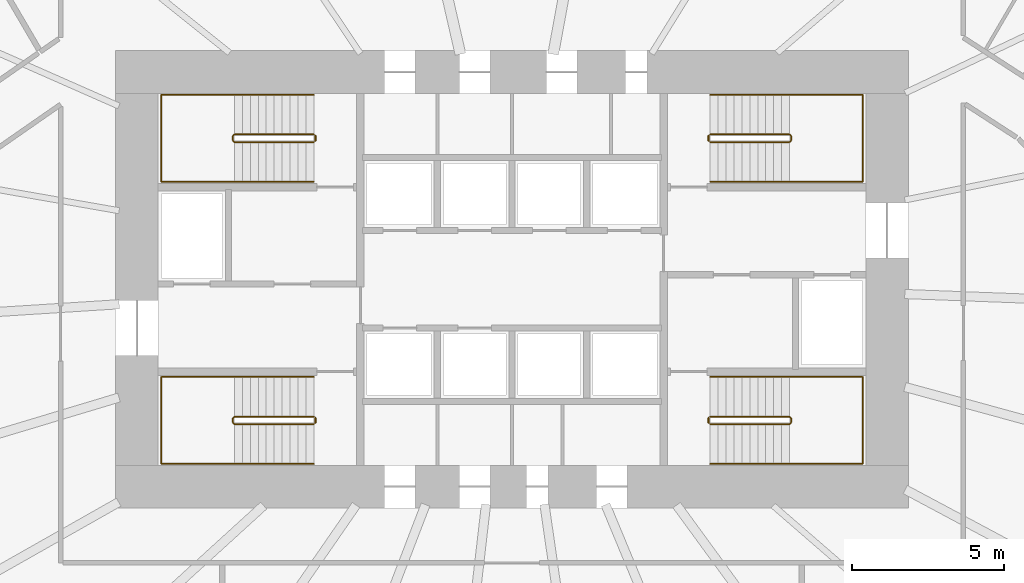
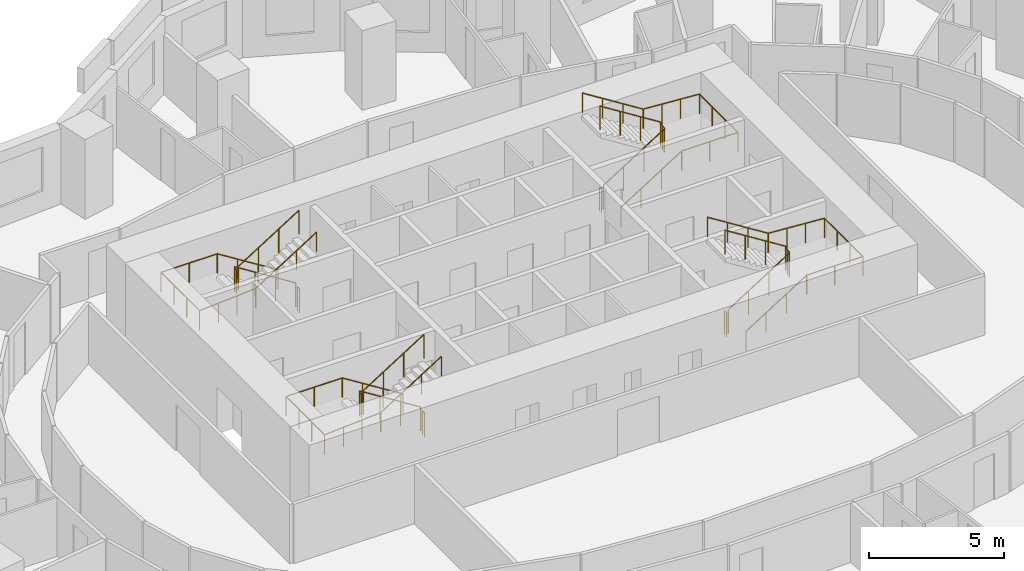
# One storey, part 11 of 11: 12 railings.
"""IFC4 building model written with IfcOpenShell, lengths in metres."""

from ifc_helpers import new_model, si_unit, direction, frame, origin, origin_2d, place, context, subcontext, project, spatial, circle, extrude, material, type_object, element, save


model = new_model("IFC4")

# Units and contexts
model_context = context("Model", 3, precision=1e-05, world=origin(), true_north=direction((0.0, 1.0)))
body_context = subcontext(model_context, "Body", "Model", "MODEL_VIEW")
ifc_project = project(units=[si_unit("LENGTHUNIT", "METRE"), si_unit("AREAUNIT", "SQUARE_METRE"), si_unit("VOLUMEUNIT", "CUBIC_METRE"), si_unit("PLANEANGLEUNIT", "RADIAN"), si_unit("MASSUNIT", "GRAM", prefix="KILO")], contexts=[model_context])

# Site, building, storey
site_placement = place(None, origin())
site = spatial("IfcSite", under=ifc_project, at=site_placement, CompositionType="ELEMENT")
building_placement = place(site_placement, origin())
building = spatial("IfcBuilding", under=site, at=building_placement, Name="Rubra Terraces Tower", CompositionType="ELEMENT")
storey_placement = place(building_placement, frame((0.0, 0.0, 41.10009765625)))
storey = spatial("IfcBuildingStorey", under=building, at=storey_placement, Name="L07", CompositionType="ELEMENT", Elevation=41.10009765625)

# Railings
ifc_material = material(Name="Stainless steel", Category="steel")
railing_type_1 = type_object("IfcRailingType", Name="Core stair guard 1100", PredefinedType="GUARDRAIL", material=ifc_material)
railing_1_placement = place(storey_placement, frame((-6.5, 0.0, 0.16357421875)))
element("IfcRailing", 1, at=railing_1_placement, inside=storey, type_object=railing_type_1, Name="L07 stair S1 guard 1", PredefinedType="GUARDRAIL", context=body_context, shape_type="SweptSolid", body=[
    extrude(circle(Radius=0.02392578125, at=origin_2d()), frame((0.0, 0.0, 1.076171875), z_axis=(-0.846360218416, 0.0, 0.532610909279), x_axis=(0.0, -1.0, 0.0)), (0.0, 0.0, 1.0), 3.072021484375),
    extrude(circle(Radius=0.02392578125, at=origin_2d()), frame((-2.60009765625, 0.0, 2.71240234375), z_axis=(-0.705375805398, -0.708833529934, 0.0), x_axis=(0.708833529934, -0.705375805398, 0.0)), (0.0, 0.0, 1.0), 0.070556640625),
    extrude(circle(Radius=0.02392578125, at=origin_2d()), frame((-2.64990234375, -0.050048828125, 2.71240234375), z_axis=(0.0, -1.0, 0.0), x_axis=(1.0, 0.0, 0.0)), (0.0, 0.0, 1.0), 0.14990234375),
    extrude(circle(Radius=0.02392578125, at=origin_2d()), frame((-2.64990234375, -0.199951171875, 2.71240234375), z_axis=(0.279194930351, -0.280563532951, 0.91833234444), x_axis=(0.708833529934, 0.705375805398, 0.0)), (0.0, 0.0, 1.0), 0.178466796875),
    extrude(circle(Radius=0.02392578125, at=origin_2d()), frame((-2.60009765625, -0.25, 2.8759765625), z_axis=(0.846360218416, 0.0, 0.532610909279), x_axis=(0.0, 1.0, 0.0)), (0.0, 0.0, 1.0), 3.072021484375),
    extrude(circle(Radius=0.02099609375, at=origin_2d()), origin(), (0.0, 0.0, 1.0), 1.052001953125),
    extrude(circle(Radius=0.02099609375, at=origin_2d()), frame((-0.86669921875, 0.0, 0.54541015625)), (0.0, 0.0, 1.0), 1.052001953125),
    extrude(circle(Radius=0.02099609375, at=origin_2d()), frame((-1.7333984375, 0.0, 1.0908203125)), (0.0, 0.0, 1.0), 1.052001953125),
    extrude(circle(Radius=0.02099609375, at=origin_2d()), frame((-2.60009765625, 0.0, 1.63623046875)), (0.0, 0.0, 1.0), 1.052001953125),
    extrude(circle(Radius=0.02099609375, at=origin_2d()), frame((-2.64990234375, -0.050048828125, 1.63623046875)), (0.0, 0.0, 1.0), 1.052001953125),
    extrude(circle(Radius=0.02099609375, at=origin_2d()), frame((-2.64990234375, -0.199951171875, 1.63623046875)), (0.0, 0.0, 1.0), 1.052001953125),
    extrude(circle(Radius=0.02099609375, at=origin_2d()), frame((-2.60009765625, -0.25, 1.800048828125)), (0.0, 0.0, 1.0), 1.052001953125),
    extrude(circle(Radius=0.02099609375, at=origin_2d()), frame((-1.7333984375, -0.25, 2.345458984375)), (0.0, 0.0, 1.0), 1.052001953125),
    extrude(circle(Radius=0.02099609375, at=origin_2d()), frame((-0.86669921875, -0.25, 2.890869140625)), (0.0, 0.0, 1.0), 1.052001953125),
    extrude(circle(Radius=0.02099609375, at=origin_2d()), frame((0.0, -0.25, 3.436279296875)), (0.0, 0.0, 1.0), 1.052001953125),
])
railing_2_placement = place(storey_placement, frame((-6.449951171875, -0.050048828125, 0.0)))
element("IfcRailing", 2, at=railing_2_placement, inside=storey, type_object=railing_type_1, Name="L07 stair S1 guard 2", PredefinedType="GUARDRAIL", context=body_context, shape_type="SweptSolid", body=[
    extrude(circle(Radius=0.02392578125, at=origin_2d()), frame((0.0, 0.0, 1.076171875), z_axis=(0.0, -1.0, 0.0), x_axis=(1.0, 0.0, 0.0)), (0.0, 0.0, 1.0), 0.14990234375),
    extrude(circle(Radius=0.02099609375, at=origin_2d()), origin(), (0.0, 0.0, 1.0), 1.052001953125),
    extrude(circle(Radius=0.02099609375, at=origin_2d()), frame((0.0, -0.14990234375, 0.0)), (0.0, 0.0, 1.0), 1.052001953125),
])
railing_3_placement = place(storey_placement, frame((-6.5, 9.25, 0.16357421875)))
element("IfcRailing", 3, at=railing_3_placement, inside=storey, type_object=railing_type_1, Name="L07 stair S2 guard 1", PredefinedType="GUARDRAIL", context=body_context, shape_type="SweptSolid", body=[
    extrude(circle(Radius=0.02392578125, at=origin_2d()), frame((0.0, 0.0, 1.076171875), z_axis=(-0.846360218416, 0.0, 0.532610909279), x_axis=(0.0, -1.0, 0.0)), (0.0, 0.0, 1.0), 3.072021484375),
    extrude(circle(Radius=0.02392578125, at=origin_2d()), frame((-2.60009765625, 0.0, 2.71240234375), z_axis=(-0.705375805398, -0.708833529934, 0.0), x_axis=(0.708833529934, -0.705375805398, 0.0)), (0.0, 0.0, 1.0), 0.070556640625),
    extrude(circle(Radius=0.02392578125, at=origin_2d()), frame((-2.64990234375, -0.050048828125, 2.71240234375), z_axis=(0.0, -1.0, 0.0), x_axis=(1.0, 0.0, 0.0)), (0.0, 0.0, 1.0), 0.14990234375),
    extrude(circle(Radius=0.02392578125, at=origin_2d()), frame((-2.64990234375, -0.199951171875, 2.71240234375), z_axis=(0.279194930351, -0.280563532951, 0.91833234444), x_axis=(0.708833529934, 0.705375805398, 0.0)), (0.0, 0.0, 1.0), 0.178466796875),
    extrude(circle(Radius=0.02392578125, at=origin_2d()), frame((-2.60009765625, -0.25, 2.8759765625), z_axis=(0.846360218416, 0.0, 0.532610909279), x_axis=(0.0, 1.0, 0.0)), (0.0, 0.0, 1.0), 3.072021484375),
    extrude(circle(Radius=0.02099609375, at=origin_2d()), origin(), (0.0, 0.0, 1.0), 1.052001953125),
    extrude(circle(Radius=0.02099609375, at=origin_2d()), frame((-0.86669921875, 0.0, 0.54541015625)), (0.0, 0.0, 1.0), 1.052001953125),
    extrude(circle(Radius=0.02099609375, at=origin_2d()), frame((-1.7333984375, 0.0, 1.0908203125)), (0.0, 0.0, 1.0), 1.052001953125),
    extrude(circle(Radius=0.02099609375, at=origin_2d()), frame((-2.60009765625, 0.0, 1.63623046875)), (0.0, 0.0, 1.0), 1.052001953125),
    extrude(circle(Radius=0.02099609375, at=origin_2d()), frame((-2.64990234375, -0.050048828125, 1.63623046875)), (0.0, 0.0, 1.0), 1.052001953125),
    extrude(circle(Radius=0.02099609375, at=origin_2d()), frame((-2.64990234375, -0.199951171875, 1.63623046875)), (0.0, 0.0, 1.0), 1.052001953125),
    extrude(circle(Radius=0.02099609375, at=origin_2d()), frame((-2.60009765625, -0.25, 1.800048828125)), (0.0, 0.0, 1.0), 1.052001953125),
    extrude(circle(Radius=0.02099609375, at=origin_2d()), frame((-1.7333984375, -0.25, 2.345458984375)), (0.0, 0.0, 1.0), 1.052001953125),
    extrude(circle(Radius=0.02099609375, at=origin_2d()), frame((-0.86669921875, -0.25, 2.890869140625)), (0.0, 0.0, 1.0), 1.052001953125),
    extrude(circle(Radius=0.02099609375, at=origin_2d()), frame((0.0, -0.25, 3.436279296875)), (0.0, 0.0, 1.0), 1.052001953125),
])
railing_4_placement = place(storey_placement, frame((-6.449951171875, 9.199951171875, 0.0)))
element("IfcRailing", 4, at=railing_4_placement, inside=storey, type_object=railing_type_1, Name="L07 stair S2 guard 2", PredefinedType="GUARDRAIL", context=body_context, shape_type="SweptSolid", body=[
    extrude(circle(Radius=0.02392578125, at=origin_2d()), frame((0.0, 0.0, 1.076171875), z_axis=(0.0, -1.0, 0.0), x_axis=(1.0, 0.0, 0.0)), (0.0, 0.0, 1.0), 0.14990234375),
    extrude(circle(Radius=0.02099609375, at=origin_2d()), origin(), (0.0, 0.0, 1.0), 1.052001953125),
    extrude(circle(Radius=0.02099609375, at=origin_2d()), frame((0.0, -0.14990234375, 0.0)), (0.0, 0.0, 1.0), 1.052001953125),
])
railing_5_placement = place(storey_placement, frame((6.5, 9.0, 0.16357421875)))
element("IfcRailing", 5, at=railing_5_placement, inside=storey, type_object=railing_type_1, Name="L07 stair S3 guard 1", PredefinedType="GUARDRAIL", context=body_context, shape_type="SweptSolid", body=[
    extrude(circle(Radius=0.02392578125, at=origin_2d()), frame((0.0, 0.0, 1.076171875), z_axis=(0.846360218416, 0.0, 0.532610909279), x_axis=(0.0, 1.0, 0.0)), (0.0, 0.0, 1.0), 3.072021484375),
    extrude(circle(Radius=0.02392578125, at=origin_2d()), frame((2.60009765625, 0.0, 2.71240234375), z_axis=(0.705375805398, 0.708833529934, 0.0), x_axis=(-0.708833529934, 0.705375805398, 0.0)), (0.0, 0.0, 1.0), 0.070556640625),
    extrude(circle(Radius=0.02392578125, at=origin_2d()), frame((2.64990234375, 0.050048828125, 2.71240234375), z_axis=(0.0, 1.0, 0.0), x_axis=(-1.0, 0.0, 0.0)), (0.0, 0.0, 1.0), 0.14990234375),
    extrude(circle(Radius=0.02392578125, at=origin_2d()), frame((2.64990234375, 0.199951171875, 2.71240234375), z_axis=(-0.279194930351, 0.280563532951, 0.91833234444), x_axis=(-0.708833529934, -0.705375805398, 0.0)), (0.0, 0.0, 1.0), 0.178466796875),
    extrude(circle(Radius=0.02392578125, at=origin_2d()), frame((2.60009765625, 0.25, 2.8759765625), z_axis=(-0.846360218416, 0.0, 0.532610909279), x_axis=(0.0, -1.0, 0.0)), (0.0, 0.0, 1.0), 3.072021484375),
    extrude(circle(Radius=0.02099609375, at=origin_2d()), origin(), (0.0, 0.0, 1.0), 1.052001953125),
    extrude(circle(Radius=0.02099609375, at=origin_2d()), frame((0.86669921875, 0.0, 0.54541015625)), (0.0, 0.0, 1.0), 1.052001953125),
    extrude(circle(Radius=0.02099609375, at=origin_2d()), frame((1.7333984375, 0.0, 1.0908203125)), (0.0, 0.0, 1.0), 1.052001953125),
    extrude(circle(Radius=0.02099609375, at=origin_2d()), frame((2.60009765625, 0.0, 1.63623046875)), (0.0, 0.0, 1.0), 1.052001953125),
    extrude(circle(Radius=0.02099609375, at=origin_2d()), frame((2.64990234375, 0.050048828125, 1.63623046875)), (0.0, 0.0, 1.0), 1.052001953125),
    extrude(circle(Radius=0.02099609375, at=origin_2d()), frame((2.64990234375, 0.199951171875, 1.63623046875)), (0.0, 0.0, 1.0), 1.052001953125),
    extrude(circle(Radius=0.02099609375, at=origin_2d()), frame((2.60009765625, 0.25, 1.800048828125)), (0.0, 0.0, 1.0), 1.052001953125),
    extrude(circle(Radius=0.02099609375, at=origin_2d()), frame((1.7333984375, 0.25, 2.345458984375)), (0.0, 0.0, 1.0), 1.052001953125),
    extrude(circle(Radius=0.02099609375, at=origin_2d()), frame((0.86669921875, 0.25, 2.890869140625)), (0.0, 0.0, 1.0), 1.052001953125),
    extrude(circle(Radius=0.02099609375, at=origin_2d()), frame((0.0, 0.25, 3.436279296875)), (0.0, 0.0, 1.0), 1.052001953125),
])
railing_6_placement = place(storey_placement, frame((6.449951171875, 9.050048828125, 0.0)))
element("IfcRailing", 6, at=railing_6_placement, inside=storey, type_object=railing_type_1, Name="L07 stair S3 guard 2", PredefinedType="GUARDRAIL", context=body_context, shape_type="SweptSolid", body=[
    extrude(circle(Radius=0.02392578125, at=origin_2d()), frame((0.0, 0.0, 1.076171875), z_axis=(0.0, 1.0, 0.0), x_axis=(-1.0, 0.0, 0.0)), (0.0, 0.0, 1.0), 0.14990234375),
    extrude(circle(Radius=0.02099609375, at=origin_2d()), origin(), (0.0, 0.0, 1.0), 1.052001953125),
    extrude(circle(Radius=0.02099609375, at=origin_2d()), frame((0.0, 0.14990234375, 0.0)), (0.0, 0.0, 1.0), 1.052001953125),
])
railing_7_placement = place(storey_placement, frame((6.5, -0.25, 0.16357421875)))
element("IfcRailing", 7, at=railing_7_placement, inside=storey, type_object=railing_type_1, Name="L07 stair S4 guard 1", PredefinedType="GUARDRAIL", context=body_context, shape_type="SweptSolid", body=[
    extrude(circle(Radius=0.02392578125, at=origin_2d()), frame((0.0, 0.0, 1.076171875), z_axis=(0.846360218416, 0.0, 0.532610909279), x_axis=(0.0, 1.0, 0.0)), (0.0, 0.0, 1.0), 3.072021484375),
    extrude(circle(Radius=0.02392578125, at=origin_2d()), frame((2.60009765625, 0.0, 2.71240234375), z_axis=(0.705375805398, 0.708833529934, 0.0), x_axis=(-0.708833529934, 0.705375805398, 0.0)), (0.0, 0.0, 1.0), 0.070556640625),
    extrude(circle(Radius=0.02392578125, at=origin_2d()), frame((2.64990234375, 0.050048828125, 2.71240234375), z_axis=(0.0, 1.0, 0.0), x_axis=(-1.0, 0.0, 0.0)), (0.0, 0.0, 1.0), 0.14990234375),
    extrude(circle(Radius=0.02392578125, at=origin_2d()), frame((2.64990234375, 0.199951171875, 2.71240234375), z_axis=(-0.279194930351, 0.280563532951, 0.91833234444), x_axis=(-0.708833529934, -0.705375805398, 0.0)), (0.0, 0.0, 1.0), 0.178466796875),
    extrude(circle(Radius=0.02392578125, at=origin_2d()), frame((2.60009765625, 0.25, 2.8759765625), z_axis=(-0.846360218416, 0.0, 0.532610909279), x_axis=(0.0, -1.0, 0.0)), (0.0, 0.0, 1.0), 3.072021484375),
    extrude(circle(Radius=0.02099609375, at=origin_2d()), origin(), (0.0, 0.0, 1.0), 1.052001953125),
    extrude(circle(Radius=0.02099609375, at=origin_2d()), frame((0.86669921875, 0.0, 0.54541015625)), (0.0, 0.0, 1.0), 1.052001953125),
    extrude(circle(Radius=0.02099609375, at=origin_2d()), frame((1.7333984375, 0.0, 1.0908203125)), (0.0, 0.0, 1.0), 1.052001953125),
    extrude(circle(Radius=0.02099609375, at=origin_2d()), frame((2.60009765625, 0.0, 1.63623046875)), (0.0, 0.0, 1.0), 1.052001953125),
    extrude(circle(Radius=0.02099609375, at=origin_2d()), frame((2.64990234375, 0.050048828125, 1.63623046875)), (0.0, 0.0, 1.0), 1.052001953125),
    extrude(circle(Radius=0.02099609375, at=origin_2d()), frame((2.64990234375, 0.199951171875, 1.63623046875)), (0.0, 0.0, 1.0), 1.052001953125),
    extrude(circle(Radius=0.02099609375, at=origin_2d()), frame((2.60009765625, 0.25, 1.800048828125)), (0.0, 0.0, 1.0), 1.052001953125),
    extrude(circle(Radius=0.02099609375, at=origin_2d()), frame((1.7333984375, 0.25, 2.345458984375)), (0.0, 0.0, 1.0), 1.052001953125),
    extrude(circle(Radius=0.02099609375, at=origin_2d()), frame((0.86669921875, 0.25, 2.890869140625)), (0.0, 0.0, 1.0), 1.052001953125),
    extrude(circle(Radius=0.02099609375, at=origin_2d()), frame((0.0, 0.25, 3.436279296875)), (0.0, 0.0, 1.0), 1.052001953125),
])
railing_8_placement = place(storey_placement, frame((6.449951171875, -0.199951171875, 0.0)))
element("IfcRailing", 8, at=railing_8_placement, inside=storey, type_object=railing_type_1, Name="L07 stair S4 guard 2", PredefinedType="GUARDRAIL", context=body_context, shape_type="SweptSolid", body=[
    extrude(circle(Radius=0.02392578125, at=origin_2d()), frame((0.0, 0.0, 1.076171875), z_axis=(0.0, 1.0, 0.0), x_axis=(-1.0, 0.0, 0.0)), (0.0, 0.0, 1.0), 0.14990234375),
    extrude(circle(Radius=0.02099609375, at=origin_2d()), origin(), (0.0, 0.0, 1.0), 1.052001953125),
    extrude(circle(Radius=0.02099609375, at=origin_2d()), frame((0.0, 0.14990234375, 0.0)), (0.0, 0.0, 1.0), 1.052001953125),
])
railing_type_2 = type_object("IfcRailingType", Name="Core stair handrail 900", PredefinedType="HANDRAIL", material=ifc_material)
railing_9_placement = place(storey_placement, frame((-6.5, 1.300048828125, 0.16357421875)))
element("IfcRailing", 9, at=railing_9_placement, inside=storey, type_object=railing_type_2, Name="L07 stair S1 handrail 1", PredefinedType="HANDRAIL", context=body_context, shape_type="SweptSolid", body=[
    extrude(circle(Radius=0.02392578125, at=origin_2d()), frame((0.0, 0.0, 0.8759765625), z_axis=(-0.846360218416, 0.0, 0.532610909279), x_axis=(0.0, -1.0, 0.0)), (0.0, 0.0, 1.0), 3.072021484375),
    extrude(circle(Radius=0.02392578125, at=origin_2d()), frame((-2.60009765625, 0.0, 2.51220703125), z_axis=(-1.0, 0.0, 0.0), x_axis=(0.0, -1.0, 0.0)), (0.0, 0.0, 1.0), 2.39990234375),
    extrude(circle(Radius=0.02392578125, at=origin_2d()), frame((-5.0, 0.0, 2.51220703125), z_axis=(0.0, -1.0, 0.0), x_axis=(1.0, 0.0, 0.0)), (0.0, 0.0, 1.0), 2.85009765625),
    extrude(circle(Radius=0.02392578125, at=origin_2d()), frame((-5.0, -2.85009765625, 2.51220703125), z_axis=(0.997678367104, 0.0, 0.06810195161), x_axis=(0.0, 1.0, 0.0)), (0.0, 0.0, 1.0), 2.405517578125),
    extrude(circle(Radius=0.02392578125, at=origin_2d()), frame((-2.60009765625, -2.85009765625, 2.67578125), z_axis=(0.846360218416, 0.0, 0.532610909279), x_axis=(0.0, 1.0, 0.0)), (0.0, 0.0, 1.0), 3.072021484375),
    extrude(circle(Radius=0.02099609375, at=origin_2d()), origin(), (0.0, 0.0, 1.0), 0.851806640625),
    extrude(circle(Radius=0.02099609375, at=origin_2d()), frame((-0.86669921875, 0.0, 0.54541015625)), (0.0, 0.0, 1.0), 0.851806640625),
    extrude(circle(Radius=0.02099609375, at=origin_2d()), frame((-1.7333984375, 0.0, 1.0908203125)), (0.0, 0.0, 1.0), 0.851806640625),
    extrude(circle(Radius=0.02099609375, at=origin_2d()), frame((-2.60009765625, 0.0, 1.63623046875)), (0.0, 0.0, 1.0), 0.851806640625),
    extrude(circle(Radius=0.02099609375, at=origin_2d()), frame((-3.800048828125, 0.0, 1.63623046875)), (0.0, 0.0, 1.0), 0.851806640625),
    extrude(circle(Radius=0.02099609375, at=origin_2d()), frame((-5.0, 0.0, 1.63623046875)), (0.0, 0.0, 1.0), 0.851806640625),
    extrude(circle(Radius=0.02099609375, at=origin_2d()), frame((-5.0, -0.949951171875, 1.63623046875)), (0.0, 0.0, 1.0), 0.851806640625),
    extrude(circle(Radius=0.02099609375, at=origin_2d()), frame((-5.0, -1.900146484375, 1.63623046875)), (0.0, 0.0, 1.0), 0.851806640625),
    extrude(circle(Radius=0.02099609375, at=origin_2d()), frame((-5.0, -2.85009765625, 1.63623046875)), (0.0, 0.0, 1.0), 0.851806640625),
    extrude(circle(Radius=0.02099609375, at=origin_2d()), frame((-4.199951171875, -2.85009765625, 1.69091796875)), (0.0, 0.0, 1.0), 0.851806640625),
    extrude(circle(Radius=0.02099609375, at=origin_2d()), frame((-3.400146484375, -2.85009765625, 1.745361328125)), (0.0, 0.0, 1.0), 0.851806640625),
    extrude(circle(Radius=0.02099609375, at=origin_2d()), frame((-2.60009765625, -2.85009765625, 1.800048828125)), (0.0, 0.0, 1.0), 0.851806640625),
    extrude(circle(Radius=0.02099609375, at=origin_2d()), frame((-1.7333984375, -2.85009765625, 2.345458984375)), (0.0, 0.0, 1.0), 0.851806640625),
    extrude(circle(Radius=0.02099609375, at=origin_2d()), frame((-0.86669921875, -2.85009765625, 2.890869140625)), (0.0, 0.0, 1.0), 0.851806640625),
    extrude(circle(Radius=0.02099609375, at=origin_2d()), frame((0.0, -2.85009765625, 3.436279296875)), (0.0, 0.0, 1.0), 0.851806640625),
])
railing_10_placement = place(storey_placement, frame((-6.5, 10.550048828125, 0.16357421875)))
element("IfcRailing", 10, at=railing_10_placement, inside=storey, type_object=railing_type_2, Name="L07 stair S2 handrail 1", PredefinedType="HANDRAIL", context=body_context, shape_type="SweptSolid", body=[
    extrude(circle(Radius=0.02392578125, at=origin_2d()), frame((0.0, 0.0, 0.8759765625), z_axis=(-0.846360218416, 0.0, 0.532610909279), x_axis=(0.0, -1.0, 0.0)), (0.0, 0.0, 1.0), 3.072021484375),
    extrude(circle(Radius=0.02392578125, at=origin_2d()), frame((-2.60009765625, 0.0, 2.51220703125), z_axis=(-1.0, 0.0, 0.0), x_axis=(0.0, -1.0, 0.0)), (0.0, 0.0, 1.0), 2.39990234375),
    extrude(circle(Radius=0.02392578125, at=origin_2d()), frame((-5.0, 0.0, 2.51220703125), z_axis=(0.0, -1.0, 0.0), x_axis=(1.0, 0.0, 0.0)), (0.0, 0.0, 1.0), 2.85009765625),
    extrude(circle(Radius=0.02392578125, at=origin_2d()), frame((-5.0, -2.85009765625, 2.51220703125), z_axis=(0.997678367104, 0.0, 0.06810195161), x_axis=(0.0, 1.0, 0.0)), (0.0, 0.0, 1.0), 2.405517578125),
    extrude(circle(Radius=0.02392578125, at=origin_2d()), frame((-2.60009765625, -2.85009765625, 2.67578125), z_axis=(0.846360218416, 0.0, 0.532610909279), x_axis=(0.0, 1.0, 0.0)), (0.0, 0.0, 1.0), 3.072021484375),
    extrude(circle(Radius=0.02099609375, at=origin_2d()), origin(), (0.0, 0.0, 1.0), 0.851806640625),
    extrude(circle(Radius=0.02099609375, at=origin_2d()), frame((-0.86669921875, 0.0, 0.54541015625)), (0.0, 0.0, 1.0), 0.851806640625),
    extrude(circle(Radius=0.02099609375, at=origin_2d()), frame((-1.7333984375, 0.0, 1.0908203125)), (0.0, 0.0, 1.0), 0.851806640625),
    extrude(circle(Radius=0.02099609375, at=origin_2d()), frame((-2.60009765625, 0.0, 1.63623046875)), (0.0, 0.0, 1.0), 0.851806640625),
    extrude(circle(Radius=0.02099609375, at=origin_2d()), frame((-3.800048828125, 0.0, 1.63623046875)), (0.0, 0.0, 1.0), 0.851806640625),
    extrude(circle(Radius=0.02099609375, at=origin_2d()), frame((-5.0, 0.0, 1.63623046875)), (0.0, 0.0, 1.0), 0.851806640625),
    extrude(circle(Radius=0.02099609375, at=origin_2d()), frame((-5.0, -0.949951171875, 1.63623046875)), (0.0, 0.0, 1.0), 0.851806640625),
    extrude(circle(Radius=0.02099609375, at=origin_2d()), frame((-5.0, -1.900146484375, 1.63623046875)), (0.0, 0.0, 1.0), 0.851806640625),
    extrude(circle(Radius=0.02099609375, at=origin_2d()), frame((-5.0, -2.85009765625, 1.63623046875)), (0.0, 0.0, 1.0), 0.851806640625),
    extrude(circle(Radius=0.02099609375, at=origin_2d()), frame((-4.199951171875, -2.85009765625, 1.69091796875)), (0.0, 0.0, 1.0), 0.851806640625),
    extrude(circle(Radius=0.02099609375, at=origin_2d()), frame((-3.400146484375, -2.85009765625, 1.745361328125)), (0.0, 0.0, 1.0), 0.851806640625),
    extrude(circle(Radius=0.02099609375, at=origin_2d()), frame((-2.60009765625, -2.85009765625, 1.800048828125)), (0.0, 0.0, 1.0), 0.851806640625),
    extrude(circle(Radius=0.02099609375, at=origin_2d()), frame((-1.7333984375, -2.85009765625, 2.345458984375)), (0.0, 0.0, 1.0), 0.851806640625),
    extrude(circle(Radius=0.02099609375, at=origin_2d()), frame((-0.86669921875, -2.85009765625, 2.890869140625)), (0.0, 0.0, 1.0), 0.851806640625),
    extrude(circle(Radius=0.02099609375, at=origin_2d()), frame((0.0, -2.85009765625, 3.436279296875)), (0.0, 0.0, 1.0), 0.851806640625),
])
railing_11_placement = place(storey_placement, frame((6.5, 7.699951171875, 0.16357421875)))
element("IfcRailing", 11, at=railing_11_placement, inside=storey, type_object=railing_type_2, Name="L07 stair S3 handrail 1", PredefinedType="HANDRAIL", context=body_context, shape_type="SweptSolid", body=[
    extrude(circle(Radius=0.02392578125, at=origin_2d()), frame((0.0, 0.0, 0.8759765625), z_axis=(0.846360218416, 0.0, 0.532610909279), x_axis=(0.0, 1.0, 0.0)), (0.0, 0.0, 1.0), 3.072021484375),
    extrude(circle(Radius=0.02392578125, at=origin_2d()), frame((2.60009765625, 0.0, 2.51220703125), z_axis=(1.0, 0.0, 0.0), x_axis=(0.0, 1.0, 0.0)), (0.0, 0.0, 1.0), 2.39990234375),
    extrude(circle(Radius=0.02392578125, at=origin_2d()), frame((5.0, 0.0, 2.51220703125), z_axis=(0.0, 1.0, 0.0), x_axis=(-1.0, 0.0, 0.0)), (0.0, 0.0, 1.0), 2.85009765625),
    extrude(circle(Radius=0.02392578125, at=origin_2d()), frame((5.0, 2.85009765625, 2.51220703125), z_axis=(-0.997678367104, 0.0, 0.06810195161), x_axis=(0.0, -1.0, 0.0)), (0.0, 0.0, 1.0), 2.405517578125),
    extrude(circle(Radius=0.02392578125, at=origin_2d()), frame((2.60009765625, 2.85009765625, 2.67578125), z_axis=(-0.846360218416, 0.0, 0.532610909279), x_axis=(0.0, -1.0, 0.0)), (0.0, 0.0, 1.0), 3.072021484375),
    extrude(circle(Radius=0.02099609375, at=origin_2d()), origin(), (0.0, 0.0, 1.0), 0.851806640625),
    extrude(circle(Radius=0.02099609375, at=origin_2d()), frame((0.86669921875, 0.0, 0.54541015625)), (0.0, 0.0, 1.0), 0.851806640625),
    extrude(circle(Radius=0.02099609375, at=origin_2d()), frame((1.7333984375, 0.0, 1.0908203125)), (0.0, 0.0, 1.0), 0.851806640625),
    extrude(circle(Radius=0.02099609375, at=origin_2d()), frame((2.60009765625, 0.0, 1.63623046875)), (0.0, 0.0, 1.0), 0.851806640625),
    extrude(circle(Radius=0.02099609375, at=origin_2d()), frame((3.800048828125, 0.0, 1.63623046875)), (0.0, 0.0, 1.0), 0.851806640625),
    extrude(circle(Radius=0.02099609375, at=origin_2d()), frame((5.0, 0.0, 1.63623046875)), (0.0, 0.0, 1.0), 0.851806640625),
    extrude(circle(Radius=0.02099609375, at=origin_2d()), frame((5.0, 0.949951171875, 1.63623046875)), (0.0, 0.0, 1.0), 0.851806640625),
    extrude(circle(Radius=0.02099609375, at=origin_2d()), frame((5.0, 1.900146484375, 1.63623046875)), (0.0, 0.0, 1.0), 0.851806640625),
    extrude(circle(Radius=0.02099609375, at=origin_2d()), frame((5.0, 2.85009765625, 1.63623046875)), (0.0, 0.0, 1.0), 0.851806640625),
    extrude(circle(Radius=0.02099609375, at=origin_2d()), frame((4.199951171875, 2.85009765625, 1.69091796875)), (0.0, 0.0, 1.0), 0.851806640625),
    extrude(circle(Radius=0.02099609375, at=origin_2d()), frame((3.400146484375, 2.85009765625, 1.745361328125)), (0.0, 0.0, 1.0), 0.851806640625),
    extrude(circle(Radius=0.02099609375, at=origin_2d()), frame((2.60009765625, 2.85009765625, 1.800048828125)), (0.0, 0.0, 1.0), 0.851806640625),
    extrude(circle(Radius=0.02099609375, at=origin_2d()), frame((1.7333984375, 2.85009765625, 2.345458984375)), (0.0, 0.0, 1.0), 0.851806640625),
    extrude(circle(Radius=0.02099609375, at=origin_2d()), frame((0.86669921875, 2.85009765625, 2.890869140625)), (0.0, 0.0, 1.0), 0.851806640625),
    extrude(circle(Radius=0.02099609375, at=origin_2d()), frame((0.0, 2.85009765625, 3.436279296875)), (0.0, 0.0, 1.0), 0.851806640625),
])
railing_12_placement = place(storey_placement, frame((6.5, -1.550048828125, 0.16357421875)))
element("IfcRailing", 12, at=railing_12_placement, inside=storey, type_object=railing_type_2, Name="L07 stair S4 handrail 1", PredefinedType="HANDRAIL", context=body_context, shape_type="SweptSolid", body=[
    extrude(circle(Radius=0.02392578125, at=origin_2d()), frame((0.0, 0.0, 0.8759765625), z_axis=(0.846360218416, 0.0, 0.532610909279), x_axis=(0.0, 1.0, 0.0)), (0.0, 0.0, 1.0), 3.072021484375),
    extrude(circle(Radius=0.02392578125, at=origin_2d()), frame((2.60009765625, 0.0, 2.51220703125), z_axis=(1.0, 0.0, 0.0), x_axis=(0.0, 1.0, 0.0)), (0.0, 0.0, 1.0), 2.39990234375),
    extrude(circle(Radius=0.02392578125, at=origin_2d()), frame((5.0, 0.0, 2.51220703125), z_axis=(0.0, 1.0, 0.0), x_axis=(-1.0, 0.0, 0.0)), (0.0, 0.0, 1.0), 2.85009765625),
    extrude(circle(Radius=0.02392578125, at=origin_2d()), frame((5.0, 2.85009765625, 2.51220703125), z_axis=(-0.997678367104, 0.0, 0.06810195161), x_axis=(0.0, -1.0, 0.0)), (0.0, 0.0, 1.0), 2.405517578125),
    extrude(circle(Radius=0.02392578125, at=origin_2d()), frame((2.60009765625, 2.85009765625, 2.67578125), z_axis=(-0.846360218416, 0.0, 0.532610909279), x_axis=(0.0, -1.0, 0.0)), (0.0, 0.0, 1.0), 3.072021484375),
    extrude(circle(Radius=0.02099609375, at=origin_2d()), origin(), (0.0, 0.0, 1.0), 0.851806640625),
    extrude(circle(Radius=0.02099609375, at=origin_2d()), frame((0.86669921875, 0.0, 0.54541015625)), (0.0, 0.0, 1.0), 0.851806640625),
    extrude(circle(Radius=0.02099609375, at=origin_2d()), frame((1.7333984375, 0.0, 1.0908203125)), (0.0, 0.0, 1.0), 0.851806640625),
    extrude(circle(Radius=0.02099609375, at=origin_2d()), frame((2.60009765625, 0.0, 1.63623046875)), (0.0, 0.0, 1.0), 0.851806640625),
    extrude(circle(Radius=0.02099609375, at=origin_2d()), frame((3.800048828125, 0.0, 1.63623046875)), (0.0, 0.0, 1.0), 0.851806640625),
    extrude(circle(Radius=0.02099609375, at=origin_2d()), frame((5.0, 0.0, 1.63623046875)), (0.0, 0.0, 1.0), 0.851806640625),
    extrude(circle(Radius=0.02099609375, at=origin_2d()), frame((5.0, 0.949951171875, 1.63623046875)), (0.0, 0.0, 1.0), 0.851806640625),
    extrude(circle(Radius=0.02099609375, at=origin_2d()), frame((5.0, 1.900146484375, 1.63623046875)), (0.0, 0.0, 1.0), 0.851806640625),
    extrude(circle(Radius=0.02099609375, at=origin_2d()), frame((5.0, 2.85009765625, 1.63623046875)), (0.0, 0.0, 1.0), 0.851806640625),
    extrude(circle(Radius=0.02099609375, at=origin_2d()), frame((4.199951171875, 2.85009765625, 1.69091796875)), (0.0, 0.0, 1.0), 0.851806640625),
    extrude(circle(Radius=0.02099609375, at=origin_2d()), frame((3.400146484375, 2.85009765625, 1.745361328125)), (0.0, 0.0, 1.0), 0.851806640625),
    extrude(circle(Radius=0.02099609375, at=origin_2d()), frame((2.60009765625, 2.85009765625, 1.800048828125)), (0.0, 0.0, 1.0), 0.851806640625),
    extrude(circle(Radius=0.02099609375, at=origin_2d()), frame((1.7333984375, 2.85009765625, 2.345458984375)), (0.0, 0.0, 1.0), 0.851806640625),
    extrude(circle(Radius=0.02099609375, at=origin_2d()), frame((0.86669921875, 2.85009765625, 2.890869140625)), (0.0, 0.0, 1.0), 0.851806640625),
    extrude(circle(Radius=0.02099609375, at=origin_2d()), frame((0.0, 2.85009765625, 3.436279296875)), (0.0, 0.0, 1.0), 0.851806640625),
])

save(model, "model.ifc")
